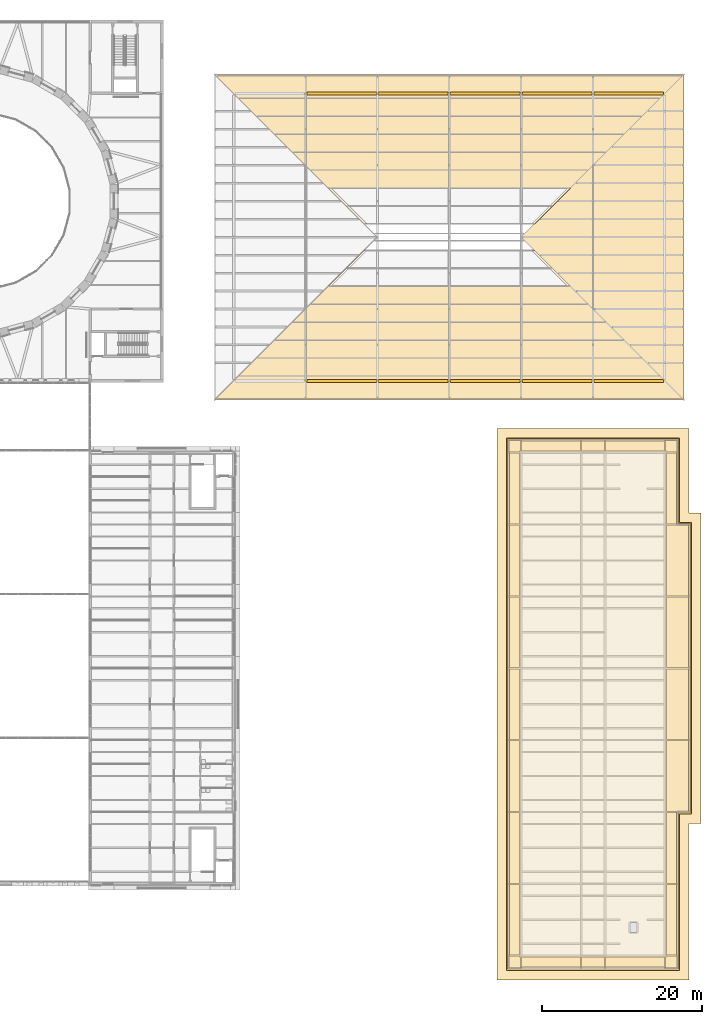
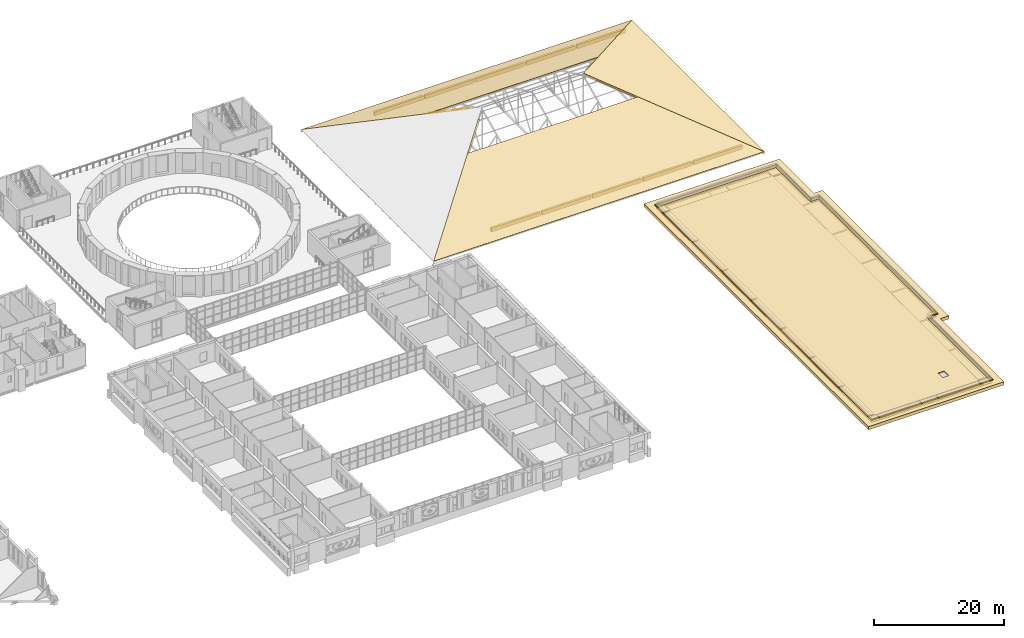
# One storey, part 153 of 154: 41 coverings.
"""IFC4 building model written with IfcOpenShell, lengths in metres."""

from ifc_helpers import new_model, si_unit, direction, frame, origin, place, context, subcontext, project, spatial, polyline, outline, extrude, material, layer, layer_set, type_object, element, save


model = new_model("IFC4")

# Units and contexts
model_context = context("Model", 3, precision=1e-05, world=origin(), true_north=direction((0.0, 1.0)))
body_context = subcontext(model_context, "Body", "Model", "MODEL_VIEW")
ifc_project = project(units=[si_unit("LENGTHUNIT", "METRE"), si_unit("AREAUNIT", "SQUARE_METRE"), si_unit("VOLUMEUNIT", "CUBIC_METRE"), si_unit("PLANEANGLEUNIT", "RADIAN"), si_unit("MASSUNIT", "GRAM", prefix="KILO")], contexts=[model_context])

# Site, building, storey
site_placement = place(None, origin())
site = spatial("IfcSite", under=ifc_project, at=site_placement, CompositionType="ELEMENT")
building_placement = place(site_placement, origin())
building = spatial("IfcBuilding", under=site, at=building_placement, Name="Golden Quay Civic Hall", CompositionType="ELEMENT")
storey_placement = place(building_placement, frame((0.0, 0.0, 14.39990234375)))
storey = spatial("IfcBuildingStorey", under=building, at=storey_placement, Name="L03", CompositionType="ELEMENT", Elevation=14.39990234375)

# Coverings
ifc_material_1 = material(Name="Aluminium, anodised", Category="aluminium")
ifc_layer_1 = layer(ifc_material_1, 0.02490234375)
ifc_layer_set_1 = layer_set([ifc_layer_1], Name="Aluminium soffit lining 25")
covering_type_1 = type_object("IfcCoveringType", Name="Aluminium soffit lining 25", PredefinedType="CEILING", material=ifc_layer_set_1)
covering_1_placement = place(storey_placement, frame((0.0, 0.0, -0.27490234375)))
element("IfcCovering", 1, at=covering_1_placement, inside=storey, type_object=covering_type_1, Name="Aluminium soffit lining 25 L03 1", PredefinedType="CEILING", context=body_context, shape_type="SweptSolid", body=[
    extrude(outline(polyline([(171.199951171875, -10.699951171875), (152.800048828125, -10.699951171875), (151.300048828125, -10.699951171875), (151.300048828125, -9.199951171875), (151.300048828125, 54.199951171875), (151.300048828125, 55.699951171875), (152.800048828125, 55.699951171875), (171.199951171875, 55.699951171875), (172.699951171875, 55.699951171875), (172.699951171875, 54.199951171875), (172.699951171875, 45.10009765625), (174.199951171875, 45.10009765625), (174.199951171875, 8.89990234375), (172.699951171875, 8.89990234375), (172.699951171875, -9.199951171875), (172.699951171875, -10.699951171875), (171.199951171875, -10.699951171875)]), holes=[polyline([(171.199951171875, 54.199951171875), (171.0673828125, 54.199951171875), (171.0673828125, 55.64990234375), (170.9326171875, 55.64990234375), (163.5673828125, 55.64990234375), (163.4326171875, 55.64990234375), (160.5673828125, 55.64990234375), (160.4326171875, 55.64990234375), (153.0673828125, 55.64990234375), (152.9326171875, 55.64990234375), (152.9326171875, 54.199951171875), (152.800048828125, 54.199951171875), (152.800048828125, 54.0673828125), (151.35009765625, 54.0673828125), (151.35009765625, 53.9326171875), (151.35009765625, 45.0673828125), (151.35009765625, 44.9326171875), (151.35009765625, 36.0673828125), (151.35009765625, 35.9326171875), (151.35009765625, 27.0673828125), (151.35009765625, 26.9326171875), (151.35009765625, 18.0673828125), (151.35009765625, 17.9326171875), (151.35009765625, 9.0673828125), (151.35009765625, 8.9326171875), (151.35009765625, 0.0673828125), (151.35009765625, -0.0673828125), (151.35009765625, -8.9326171875), (151.35009765625, -9.0673828125), (152.800048828125, -9.0673828125), (152.800048828125, -9.199951171875), (152.9326171875, -9.199951171875), (152.9326171875, -10.64990234375), (153.0673828125, -10.64990234375), (160.4326171875, -10.64990234375), (160.5673828125, -10.64990234375), (163.4326171875, -10.64990234375), (163.5673828125, -10.64990234375), (170.9326171875, -10.64990234375), (171.0673828125, -10.64990234375), (171.0673828125, -9.199951171875), (171.199951171875, -9.199951171875), (171.199951171875, -9.0673828125), (172.64990234375, -9.0673828125), (172.64990234375, -8.9326171875), (172.64990234375, -0.0673828125), (172.64990234375, 0.0673828125), (172.64990234375, 8.9326171875), (174.14990234375, 8.9326171875), (174.14990234375, 9.0673828125), (174.14990234375, 17.9326171875), (174.14990234375, 18.0673828125), (174.14990234375, 26.9326171875), (174.14990234375, 27.0673828125), (174.14990234375, 35.9326171875), (174.14990234375, 36.0673828125), (174.14990234375, 44.9326171875), (174.14990234375, 45.0673828125), (172.64990234375, 45.0673828125), (172.64990234375, 53.9326171875), (172.64990234375, 54.0673828125), (171.199951171875, 54.0673828125), (171.199951171875, 54.199951171875)])]), origin(), (0.0, 0.0, 1.0), 0.02490234375),
])
covering_2_placement = place(storey_placement, frame((0.0, 0.0, -0.27490234375)))
element("IfcCovering", 2, at=covering_2_placement, inside=storey, type_object=covering_type_1, Name="Aluminium soffit lining 25 L03 2", PredefinedType="CEILING", context=body_context, shape_type="SweptSolid", body=[
    extrude(outline(polyline([(171.199951171875, 53.9326171875), (172.449951171875, 53.9326171875), (172.449951171875, 45.0673828125), (171.199951171875, 45.0673828125), (171.199951171875, 45.10009765625), (171.199951171875, 53.9326171875)])), origin(), (0.0, 0.0, 1.0), 0.02490234375),
])
covering_3_placement = place(storey_placement, frame((0.0, 0.0, -0.27490234375)))
element("IfcCovering", 3, at=covering_3_placement, inside=storey, type_object=covering_type_1, Name="Aluminium soffit lining 25 L03 3", PredefinedType="CEILING", context=body_context, shape_type="SweptSolid", body=[
    extrude(outline(polyline([(163.5673828125, 54.199951171875), (163.5673828125, 55.449951171875), (170.9326171875, 55.449951171875), (170.9326171875, 54.199951171875), (163.5673828125, 54.199951171875)])), origin(), (0.0, 0.0, 1.0), 0.02490234375),
])
covering_4_placement = place(storey_placement, frame((0.0, 0.0, -0.27490234375)))
element("IfcCovering", 4, at=covering_4_placement, inside=storey, type_object=covering_type_1, Name="Aluminium soffit lining 25 L03 4", PredefinedType="CEILING", context=body_context, shape_type="SweptSolid", body=[
    extrude(outline(polyline([(160.5673828125, 54.199951171875), (160.5673828125, 55.449951171875), (163.4326171875, 55.449951171875), (163.4326171875, 54.199951171875), (160.5673828125, 54.199951171875)])), origin(), (0.0, 0.0, 1.0), 0.02490234375),
])
covering_5_placement = place(storey_placement, frame((0.0, 0.0, -0.27490234375)))
element("IfcCovering", 5, at=covering_5_placement, inside=storey, type_object=covering_type_1, Name="Aluminium soffit lining 25 L03 5", PredefinedType="CEILING", context=body_context, shape_type="SweptSolid", body=[
    extrude(outline(polyline([(153.0673828125, 54.199951171875), (153.0673828125, 55.449951171875), (160.4326171875, 55.449951171875), (160.4326171875, 54.199951171875), (153.0673828125, 54.199951171875)])), origin(), (0.0, 0.0, 1.0), 0.02490234375),
])
covering_6_placement = place(storey_placement, frame((0.0, 0.0, -0.27490234375)))
element("IfcCovering", 6, at=covering_6_placement, inside=storey, type_object=covering_type_1, Name="Aluminium soffit lining 25 L03 6", PredefinedType="CEILING", context=body_context, shape_type="SweptSolid", body=[
    extrude(outline(polyline([(152.800048828125, 45.0673828125), (151.550048828125, 45.0673828125), (151.550048828125, 53.9326171875), (152.800048828125, 53.9326171875), (152.800048828125, 45.0673828125)])), origin(), (0.0, 0.0, 1.0), 0.02490234375),
])
covering_7_placement = place(storey_placement, frame((0.0, 0.0, -0.27490234375)))
element("IfcCovering", 7, at=covering_7_placement, inside=storey, type_object=covering_type_1, Name="Aluminium soffit lining 25 L03 7", PredefinedType="CEILING", context=body_context, shape_type="SweptSolid", body=[
    extrude(outline(polyline([(152.800048828125, 36.0673828125), (151.550048828125, 36.0673828125), (151.550048828125, 44.9326171875), (152.800048828125, 44.9326171875), (152.800048828125, 36.0673828125)])), origin(), (0.0, 0.0, 1.0), 0.02490234375),
])
covering_8_placement = place(storey_placement, frame((0.0, 0.0, -0.27490234375)))
element("IfcCovering", 8, at=covering_8_placement, inside=storey, type_object=covering_type_1, Name="Aluminium soffit lining 25 L03 8", PredefinedType="CEILING", context=body_context, shape_type="SweptSolid", body=[
    extrude(outline(polyline([(152.800048828125, 27.0673828125), (151.550048828125, 27.0673828125), (151.550048828125, 35.9326171875), (152.800048828125, 35.9326171875), (152.800048828125, 27.0673828125)])), origin(), (0.0, 0.0, 1.0), 0.02490234375),
])
covering_9_placement = place(storey_placement, frame((0.0, 0.0, -0.27490234375)))
element("IfcCovering", 9, at=covering_9_placement, inside=storey, type_object=covering_type_1, Name="Aluminium soffit lining 25 L03 9", PredefinedType="CEILING", context=body_context, shape_type="SweptSolid", body=[
    extrude(outline(polyline([(152.800048828125, 18.0673828125), (151.550048828125, 18.0673828125), (151.550048828125, 26.9326171875), (152.800048828125, 26.9326171875), (152.800048828125, 18.0673828125)])), origin(), (0.0, 0.0, 1.0), 0.02490234375),
])
covering_10_placement = place(storey_placement, frame((0.0, 0.0, -0.27490234375)))
element("IfcCovering", 10, at=covering_10_placement, inside=storey, type_object=covering_type_1, Name="Aluminium soffit lining 25 L03 10", PredefinedType="CEILING", context=body_context, shape_type="SweptSolid", body=[
    extrude(outline(polyline([(152.800048828125, 9.0673828125), (151.550048828125, 9.0673828125), (151.550048828125, 17.9326171875), (152.800048828125, 17.9326171875), (152.800048828125, 9.0673828125)])), origin(), (0.0, 0.0, 1.0), 0.02490234375),
])
covering_11_placement = place(storey_placement, frame((0.0, 0.0, -0.27490234375)))
element("IfcCovering", 11, at=covering_11_placement, inside=storey, type_object=covering_type_1, Name="Aluminium soffit lining 25 L03 11", PredefinedType="CEILING", context=body_context, shape_type="SweptSolid", body=[
    extrude(outline(polyline([(152.800048828125, 0.0673828125), (151.550048828125, 0.0673828125), (151.550048828125, 8.9326171875), (152.800048828125, 8.9326171875), (152.800048828125, 0.0673828125)])), origin(), (0.0, 0.0, 1.0), 0.02490234375),
])
covering_12_placement = place(storey_placement, frame((0.0, 0.0, -0.27490234375)))
element("IfcCovering", 12, at=covering_12_placement, inside=storey, type_object=covering_type_1, Name="Aluminium soffit lining 25 L03 12", PredefinedType="CEILING", context=body_context, shape_type="SweptSolid", body=[
    extrude(outline(polyline([(152.800048828125, -8.9326171875), (151.550048828125, -8.9326171875), (151.550048828125, -0.0673828125), (152.800048828125, -0.0673828125), (152.800048828125, -8.9326171875)])), origin(), (0.0, 0.0, 1.0), 0.02490234375),
])
covering_13_placement = place(storey_placement, frame((0.0, 0.0, -0.27490234375)))
element("IfcCovering", 13, at=covering_13_placement, inside=storey, type_object=covering_type_1, Name="Aluminium soffit lining 25 L03 13", PredefinedType="CEILING", context=body_context, shape_type="SweptSolid", body=[
    extrude(outline(polyline([(160.4326171875, -9.199951171875), (160.4326171875, -10.449951171875), (153.0673828125, -10.449951171875), (153.0673828125, -9.199951171875), (160.4326171875, -9.199951171875)])), origin(), (0.0, 0.0, 1.0), 0.02490234375),
])
covering_14_placement = place(storey_placement, frame((0.0, 0.0, -0.27490234375)))
element("IfcCovering", 14, at=covering_14_placement, inside=storey, type_object=covering_type_1, Name="Aluminium soffit lining 25 L03 14", PredefinedType="CEILING", context=body_context, shape_type="SweptSolid", body=[
    extrude(outline(polyline([(163.4326171875, -9.199951171875), (163.4326171875, -10.449951171875), (160.5673828125, -10.449951171875), (160.5673828125, -9.199951171875), (163.4326171875, -9.199951171875)])), origin(), (0.0, 0.0, 1.0), 0.02490234375),
])
covering_15_placement = place(storey_placement, frame((0.0, 0.0, -0.27490234375)))
element("IfcCovering", 15, at=covering_15_placement, inside=storey, type_object=covering_type_1, Name="Aluminium soffit lining 25 L03 15", PredefinedType="CEILING", context=body_context, shape_type="SweptSolid", body=[
    extrude(outline(polyline([(170.9326171875, -9.199951171875), (170.9326171875, -10.449951171875), (163.5673828125, -10.449951171875), (163.5673828125, -9.199951171875), (170.9326171875, -9.199951171875)])), origin(), (0.0, 0.0, 1.0), 0.02490234375),
])
covering_16_placement = place(storey_placement, frame((0.0, 0.0, -0.27490234375)))
element("IfcCovering", 16, at=covering_16_placement, inside=storey, type_object=covering_type_1, Name="Aluminium soffit lining 25 L03 16", PredefinedType="CEILING", context=body_context, shape_type="SweptSolid", body=[
    extrude(outline(polyline([(171.199951171875, -0.0673828125), (172.449951171875, -0.0673828125), (172.449951171875, -8.9326171875), (171.199951171875, -8.9326171875), (171.199951171875, -0.0673828125)])), origin(), (0.0, 0.0, 1.0), 0.02490234375),
])
covering_17_placement = place(storey_placement, frame((0.0, 0.0, -0.27490234375)))
element("IfcCovering", 17, at=covering_17_placement, inside=storey, type_object=covering_type_1, Name="Aluminium soffit lining 25 L03 17", PredefinedType="CEILING", context=body_context, shape_type="SweptSolid", body=[
    extrude(outline(polyline([(171.199951171875, 8.89990234375), (171.199951171875, 8.9326171875), (172.449951171875, 8.9326171875), (172.449951171875, 0.0673828125), (171.199951171875, 0.0673828125), (171.199951171875, 8.89990234375)])), origin(), (0.0, 0.0, 1.0), 0.02490234375),
])
covering_18_placement = place(storey_placement, frame((0.0, 0.0, -0.27490234375)))
element("IfcCovering", 18, at=covering_18_placement, inside=storey, type_object=covering_type_1, Name="Aluminium soffit lining 25 L03 18", PredefinedType="CEILING", context=body_context, shape_type="SweptSolid", body=[
    extrude(outline(polyline([(171.199951171875, 17.9326171875), (173.949951171875, 17.9326171875), (173.949951171875, 9.0673828125), (171.199951171875, 9.0673828125), (171.199951171875, 17.9326171875)])), origin(), (0.0, 0.0, 1.0), 0.02490234375),
])
covering_19_placement = place(storey_placement, frame((0.0, 0.0, -0.27490234375)))
element("IfcCovering", 19, at=covering_19_placement, inside=storey, type_object=covering_type_1, Name="Aluminium soffit lining 25 L03 19", PredefinedType="CEILING", context=body_context, shape_type="SweptSolid", body=[
    extrude(outline(polyline([(171.199951171875, 26.9326171875), (173.949951171875, 26.9326171875), (173.949951171875, 18.0673828125), (171.199951171875, 18.0673828125), (171.199951171875, 26.9326171875)])), origin(), (0.0, 0.0, 1.0), 0.02490234375),
])
covering_20_placement = place(storey_placement, frame((0.0, 0.0, -0.27490234375)))
element("IfcCovering", 20, at=covering_20_placement, inside=storey, type_object=covering_type_1, Name="Aluminium soffit lining 25 L03 20", PredefinedType="CEILING", context=body_context, shape_type="SweptSolid", body=[
    extrude(outline(polyline([(171.199951171875, 35.9326171875), (173.949951171875, 35.9326171875), (173.949951171875, 27.0673828125), (171.199951171875, 27.0673828125), (171.199951171875, 35.9326171875)])), origin(), (0.0, 0.0, 1.0), 0.02490234375),
])
covering_21_placement = place(storey_placement, frame((0.0, 0.0, -0.27490234375)))
element("IfcCovering", 21, at=covering_21_placement, inside=storey, type_object=covering_type_1, Name="Aluminium soffit lining 25 L03 21", PredefinedType="CEILING", context=body_context, shape_type="SweptSolid", body=[
    extrude(outline(polyline([(171.199951171875, 44.9326171875), (173.949951171875, 44.9326171875), (173.949951171875, 36.0673828125), (171.199951171875, 36.0673828125), (171.199951171875, 44.9326171875)])), origin(), (0.0, 0.0, 1.0), 0.02490234375),
])
ifc_material_2 = material(Name="Brick, dark clay facing", Category="masonry")
covering_type_2 = type_object("IfcCoveringType", Name="Brick eaves frieze cladding 400", PredefinedType="CLADDING", material=ifc_material_2)
covering_22_placement = place(storey_placement, frame((0.0, 0.0, -0.25)))
element("IfcCovering", 22, at=covering_22_placement, inside=storey, type_object=covering_type_2, Name="Eaves frieze S2", PredefinedType="CLADDING", context=body_context, shape_type="SweptSolid", body=[
    extrude(outline(polyline([(126.14990234375, 62.800048828125), (134.85009765625, 62.800048828125), (134.85009765625, 63.199951171875), (126.14990234375, 63.199951171875), (126.14990234375, 62.800048828125)])), origin(), (0.0, 0.0, 1.0), 0.724609375),
])
covering_23_placement = place(storey_placement, frame((0.0, 0.0, -0.25)))
element("IfcCovering", 23, at=covering_23_placement, inside=storey, type_object=covering_type_2, Name="Eaves frieze S3", PredefinedType="CLADDING", context=body_context, shape_type="SweptSolid", body=[
    extrude(outline(polyline([(135.14990234375, 62.800048828125), (143.85009765625, 62.800048828125), (143.85009765625, 63.199951171875), (135.14990234375, 63.199951171875), (135.14990234375, 62.800048828125)])), origin(), (0.0, 0.0, 1.0), 0.724609375),
])
covering_24_placement = place(storey_placement, frame((0.0, 0.0, -0.25)))
element("IfcCovering", 24, at=covering_24_placement, inside=storey, type_object=covering_type_2, Name="Eaves frieze S4", PredefinedType="CLADDING", context=body_context, shape_type="SweptSolid", body=[
    extrude(outline(polyline([(144.14990234375, 62.800048828125), (152.85009765625, 62.800048828125), (152.85009765625, 63.199951171875), (144.14990234375, 63.199951171875), (144.14990234375, 62.800048828125)])), origin(), (0.0, 0.0, 1.0), 0.724609375),
])
covering_25_placement = place(storey_placement, frame((0.0, 0.0, -0.25)))
element("IfcCovering", 25, at=covering_25_placement, inside=storey, type_object=covering_type_2, Name="Eaves frieze S5", PredefinedType="CLADDING", context=body_context, shape_type="SweptSolid", body=[
    extrude(outline(polyline([(153.14990234375, 62.800048828125), (161.85009765625, 62.800048828125), (161.85009765625, 63.199951171875), (153.14990234375, 63.199951171875), (153.14990234375, 62.800048828125)])), origin(), (0.0, 0.0, 1.0), 0.724609375),
])
covering_26_placement = place(storey_placement, frame((0.0, 0.0, -0.25)))
element("IfcCovering", 26, at=covering_26_placement, inside=storey, type_object=covering_type_2, Name="Eaves frieze S6", PredefinedType="CLADDING", context=body_context, shape_type="SweptSolid", body=[
    extrude(outline(polyline([(162.14990234375, 62.800048828125), (170.800048828125, 62.800048828125), (170.800048828125, 63.199951171875), (162.14990234375, 63.199951171875), (162.14990234375, 62.800048828125)])), origin(), (0.0, 0.0, 1.0), 0.724609375),
])
covering_27_placement = place(storey_placement, frame((0.0, 0.0, -0.25)))
element("IfcCovering", 27, at=covering_27_placement, inside=storey, type_object=covering_type_2, Name="Eaves frieze N2", PredefinedType="CLADDING", context=body_context, shape_type="SweptSolid", body=[
    extrude(outline(polyline([(126.14990234375, 98.800048828125), (134.85009765625, 98.800048828125), (134.85009765625, 99.199951171875), (126.14990234375, 99.199951171875), (126.14990234375, 98.800048828125)])), origin(), (0.0, 0.0, 1.0), 0.724609375),
])
covering_28_placement = place(storey_placement, frame((0.0, 0.0, -0.25)))
element("IfcCovering", 28, at=covering_28_placement, inside=storey, type_object=covering_type_2, Name="Eaves frieze N3", PredefinedType="CLADDING", context=body_context, shape_type="SweptSolid", body=[
    extrude(outline(polyline([(135.14990234375, 98.800048828125), (143.85009765625, 98.800048828125), (143.85009765625, 99.199951171875), (135.14990234375, 99.199951171875), (135.14990234375, 98.800048828125)])), origin(), (0.0, 0.0, 1.0), 0.724609375),
])
covering_29_placement = place(storey_placement, frame((0.0, 0.0, -0.25)))
element("IfcCovering", 29, at=covering_29_placement, inside=storey, type_object=covering_type_2, Name="Eaves frieze N4", PredefinedType="CLADDING", context=body_context, shape_type="SweptSolid", body=[
    extrude(outline(polyline([(144.14990234375, 98.800048828125), (152.85009765625, 98.800048828125), (152.85009765625, 99.199951171875), (144.14990234375, 99.199951171875), (144.14990234375, 98.800048828125)])), origin(), (0.0, 0.0, 1.0), 0.724609375),
])
covering_30_placement = place(storey_placement, frame((0.0, 0.0, -0.25)))
element("IfcCovering", 30, at=covering_30_placement, inside=storey, type_object=covering_type_2, Name="Eaves frieze N5", PredefinedType="CLADDING", context=body_context, shape_type="SweptSolid", body=[
    extrude(outline(polyline([(153.14990234375, 98.800048828125), (161.85009765625, 98.800048828125), (161.85009765625, 99.199951171875), (153.14990234375, 99.199951171875), (153.14990234375, 98.800048828125)])), origin(), (0.0, 0.0, 1.0), 0.724609375),
])
covering_31_placement = place(storey_placement, frame((0.0, 0.0, -0.25)))
element("IfcCovering", 31, at=covering_31_placement, inside=storey, type_object=covering_type_2, Name="Eaves frieze N6", PredefinedType="CLADDING", context=body_context, shape_type="SweptSolid", body=[
    extrude(outline(polyline([(162.14990234375, 98.800048828125), (170.800048828125, 98.800048828125), (170.800048828125, 99.199951171875), (162.14990234375, 99.199951171875), (162.14990234375, 98.800048828125)])), origin(), (0.0, 0.0, 1.0), 0.724609375),
])
ifc_material_3 = material(Name="Clay roof tile")
ifc_layer_2 = layer(ifc_material_3, 0.06005859375)
ifc_layer_set_2 = layer_set([ifc_layer_2], Name="Clay roof tile 60")
covering_type_3 = type_object("IfcCoveringType", Name="Clay roof tile 60", PredefinedType="ROOFING", material=ifc_layer_set_2)
covering_32_placement = place(storey_placement, frame((114.60009765625, 60.60009765625, -0.316650390625), z_axis=(0.0, -0.422612581119, 0.906310435932), x_axis=(1.0, 0.0, 0.0)))
element("IfcCovering", 32, at=covering_32_placement, inside=storey, type_object=covering_type_3, Name="Roof tiles south", PredefinedType="ROOFING", context=body_context, shape_type="SweptSolid", body=[
    extrude(outline(polyline([(0.0, 0.0), (58.7998046875, 0.0), (44.5498046875, 15.723089390824425), (14.25, 15.723089390824425), (0.0, 0.0)])), origin(), (0.0, 0.0, -1.0), 0.06005859375),
])
covering_33_placement = place(storey_placement, frame((128.85009765625, 74.85009765625, 6.328125), z_axis=(0.0, -0.422618958231, 0.906307462258), x_axis=(1.0, 0.0, 0.0)))
element("IfcCovering", 33, at=covering_33_placement, inside=storey, type_object=covering_type_3, Name="Roof tiles south hip edge west", PredefinedType="ROOFING", context=body_context, shape_type="SweptSolid", body=[
    extrude(outline(polyline([(0.0, 0.0), (0.349853515625, 0.0), (4.849853515625, 4.965202414630578), (4.5, 4.965202414630578), (0.0, 0.0)])), origin(), (0.0, 0.0, -1.0), 0.06005859375),
])
covering_34_placement = place(storey_placement, frame((158.800048828125, 74.85009765625, 6.328125), z_axis=(0.0, -0.422618958231, 0.906307462258), x_axis=(1.0, 0.0, 0.0)))
element("IfcCovering", 34, at=covering_34_placement, inside=storey, type_object=covering_type_3, Name="Roof tiles south hip edge east", PredefinedType="ROOFING", context=body_context, shape_type="SweptSolid", body=[
    extrude(outline(polyline([(0.0, 0.0), (0.349853515625, 0.0), (-4.150146484375, 4.965202414630578), (-4.5, 4.965202414630578), (0.0, 0.0)])), origin(), (0.0, 0.0, -1.0), 0.06005859375),
])
covering_35_placement = place(storey_placement, frame((128.85009765625, 87.14990234375, 6.328125), z_axis=(0.0, 0.422612581119, 0.906310435932), x_axis=(1.0, 0.0, 0.0)))
element("IfcCovering", 35, at=covering_35_placement, inside=storey, type_object=covering_type_3, Name="Roof tiles north", PredefinedType="ROOFING", context=body_context, shape_type="SweptSolid", body=[
    extrude(outline(polyline([(0.0, 0.0), (30.2998046875, 0.0), (44.5498046875, 15.723089390824425), (-14.25, 15.723089390824425), (0.0, 0.0)])), origin(), (0.0, 0.0, -1.0), 0.06005859375),
])
covering_36_placement = place(storey_placement, frame((133.35009765625, 82.64990234375, 8.426513671875), z_axis=(0.0, 0.422618958231, 0.906307462258), x_axis=(1.0, 0.0, 0.0)))
element("IfcCovering", 36, at=covering_36_placement, inside=storey, type_object=covering_type_3, Name="Roof tiles north hip edge west", PredefinedType="ROOFING", context=body_context, shape_type="SweptSolid", body=[
    extrude(outline(polyline([(0.0, 0.0), (0.349853515625, 0.0), (-4.150146484375, 4.965202414630578), (-4.5, 4.965202414630578), (0.0, 0.0)])), origin(), (0.0, 0.0, -1.0), 0.06005859375),
])
covering_37_placement = place(storey_placement, frame((154.300048828125, 82.64990234375, 8.426513671875), z_axis=(0.0, 0.422618958231, 0.906307462258), x_axis=(1.0, 0.0, 0.0)))
element("IfcCovering", 37, at=covering_37_placement, inside=storey, type_object=covering_type_3, Name="Roof tiles north hip edge east", PredefinedType="ROOFING", context=body_context, shape_type="SweptSolid", body=[
    extrude(outline(polyline([(0.0, 0.0), (0.349853515625, 0.0), (4.849853515625, 4.965202414630578), (4.5, 4.965202414630578), (0.0, 0.0)])), origin(), (0.0, 0.0, -1.0), 0.06005859375),
])
covering_38_placement = place(storey_placement, frame((173.39990234375, 60.60009765625, -0.316650390625), z_axis=(0.422620620003, 0.0, 0.906306687357), x_axis=(0.0, 1.0, 0.0)))
element("IfcCovering", 38, at=covering_38_placement, inside=storey, type_object=covering_type_3, Name="Roof tiles east", PredefinedType="ROOFING", context=body_context, shape_type="SweptSolid", body=[
    extrude(outline(polyline([(0.0, 0.0), (40.7998046875, 0.0), (20.39990234375, 22.50882910644168), (0.0, 0.0)])), origin(), (0.0, 0.0, -1.0), 0.06005859375),
])
ifc_material_4 = material(Name="Bitumen membrane on rigid insulation")
ifc_layer_3 = layer(ifc_material_4, 0.1201171875)
ifc_layer_set_3 = layer_set([ifc_layer_3], Name="Insulated membrane roofing 120")
covering_type_4 = type_object("IfcCoveringType", Name="Insulated membrane roofing 120", PredefinedType="ROOFING", material=ifc_layer_set_3)
covering_39_placement = place(storey_placement, origin())
element("IfcCovering", 39, at=covering_39_placement, inside=storey, type_object=covering_type_4, Name="Insulated membrane roofing 120 L03 1", PredefinedType="ROOFING", context=body_context, shape_type="SweptSolid", body=[
    extrude(outline(polyline([(151.5, -10.5), (151.5, 55.5), (172.5, 55.5), (172.5, 44.89990234375), (174.0, 44.89990234375), (174.0, 9.10009765625), (172.5, 9.10009765625), (172.5, -10.5), (151.5, -10.5)]), holes=[polyline([(167.625, -4.77490234375), (166.52490234375, -4.77490234375), (166.52490234375, -6.175048828125), (167.625, -6.175048828125), (167.625, -4.77490234375)])]), origin(), (0.0, 0.0, 1.0), 0.1201171875),
])
ifc_material_5 = material(Name="Stone, buff limestone", Category="masonry")
covering_type_5 = type_object("IfcCoveringType", Name="Stone cornice moulding 1200 x 600", PredefinedType="MOLDING", material=ifc_material_5)
covering_40_placement = place(storey_placement, frame((0.0, 0.0, -0.349853515625)))
element("IfcCovering", 40, at=covering_40_placement, inside=storey, type_object=covering_type_5, Name="Stone cornice moulding 1200 x 600 L03 1", PredefinedType="MOLDING", context=body_context, shape_type="SweptSolid", body=[
    extrude(outline(polyline([(149.949951171875, -12.050048828125), (149.949951171875, 57.050048828125), (174.050048828125, 57.050048828125), (174.050048828125, 46.449951171875), (175.550048828125, 46.449951171875), (175.550048828125, 7.550048828125), (174.050048828125, 7.550048828125), (174.050048828125, -12.050048828125), (149.949951171875, -12.050048828125)]), holes=[polyline([(172.85009765625, 8.75), (174.35009765625, 8.75), (174.35009765625, 45.25), (172.85009765625, 45.25), (172.85009765625, 55.85009765625), (151.14990234375, 55.85009765625), (151.14990234375, -10.85009765625), (172.85009765625, -10.85009765625), (172.85009765625, 8.75)])]), origin(), (0.0, 0.0, 1.0), 0.599853515625),
])
ifc_material_6 = material(Name="Terracotta cladding, golden glaze", Category="masonry")
covering_type_6 = type_object("IfcCoveringType", Name="Terracotta eave fascia 150 x 1000", PredefinedType="CLADDING", material=ifc_material_6)
covering_41_placement = place(storey_placement, frame((0.0, 0.0, -0.599853515625)))
element("IfcCovering", 41, at=covering_41_placement, inside=storey, type_object=covering_type_6, Name="Terracotta eave fascia 150 x 1000 L03 1", PredefinedType="CLADDING", context=body_context, shape_type="SweptSolid", body=[
    extrude(outline(polyline([(151.14990234375, -10.85009765625), (151.14990234375, 55.85009765625), (172.85009765625, 55.85009765625), (172.85009765625, 45.25), (174.35009765625, 45.25), (174.35009765625, 8.75), (172.85009765625, 8.75), (172.85009765625, -10.85009765625), (151.14990234375, -10.85009765625)]), holes=[polyline([(172.699951171875, -9.199951171875), (172.699951171875, 8.89990234375), (174.199951171875, 8.89990234375), (174.199951171875, 45.10009765625), (172.699951171875, 45.10009765625), (172.699951171875, 54.199951171875), (172.699951171875, 55.699951171875), (171.199951171875, 55.699951171875), (152.800048828125, 55.699951171875), (151.300048828125, 55.699951171875), (151.300048828125, 54.199951171875), (151.300048828125, -9.199951171875), (151.300048828125, -10.699951171875), (152.800048828125, -10.699951171875), (171.199951171875, -10.699951171875), (172.699951171875, -10.699951171875), (172.699951171875, -9.199951171875)])]), origin(), (0.0, 0.0, 1.0), 1.0),
])

save(model, "model.ifc")
